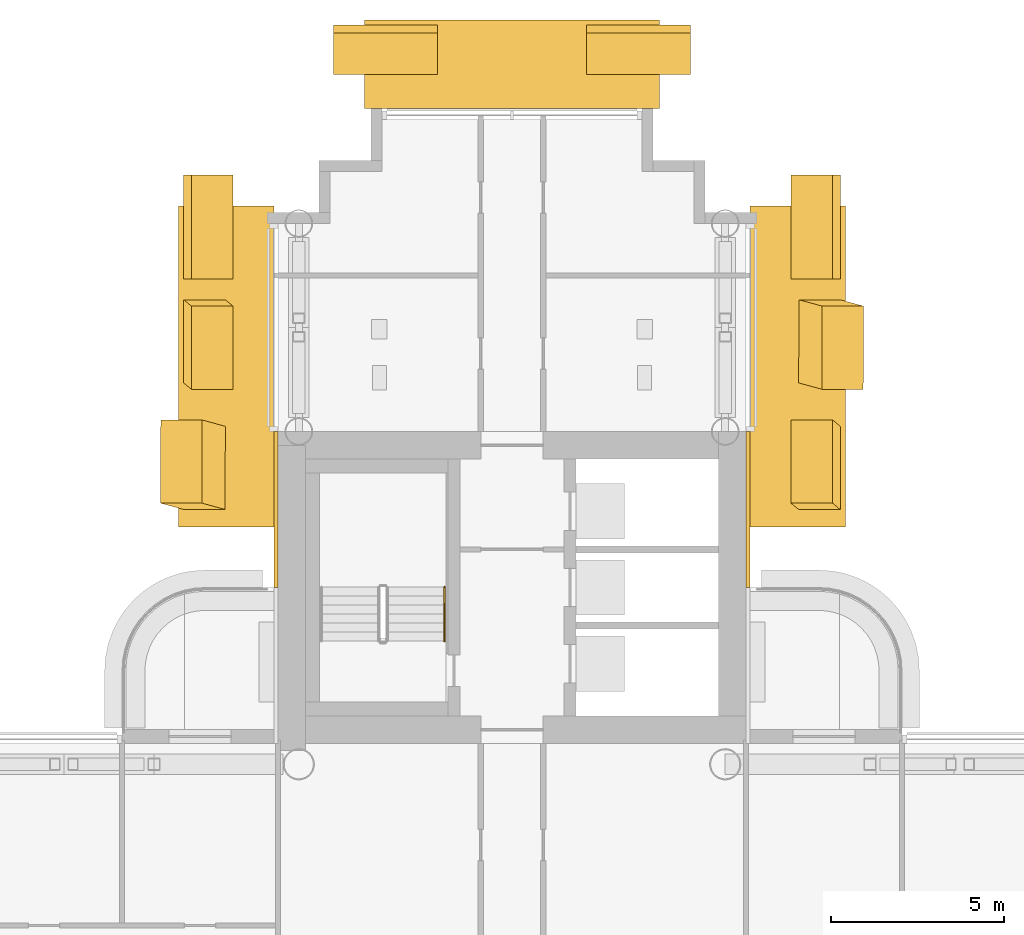
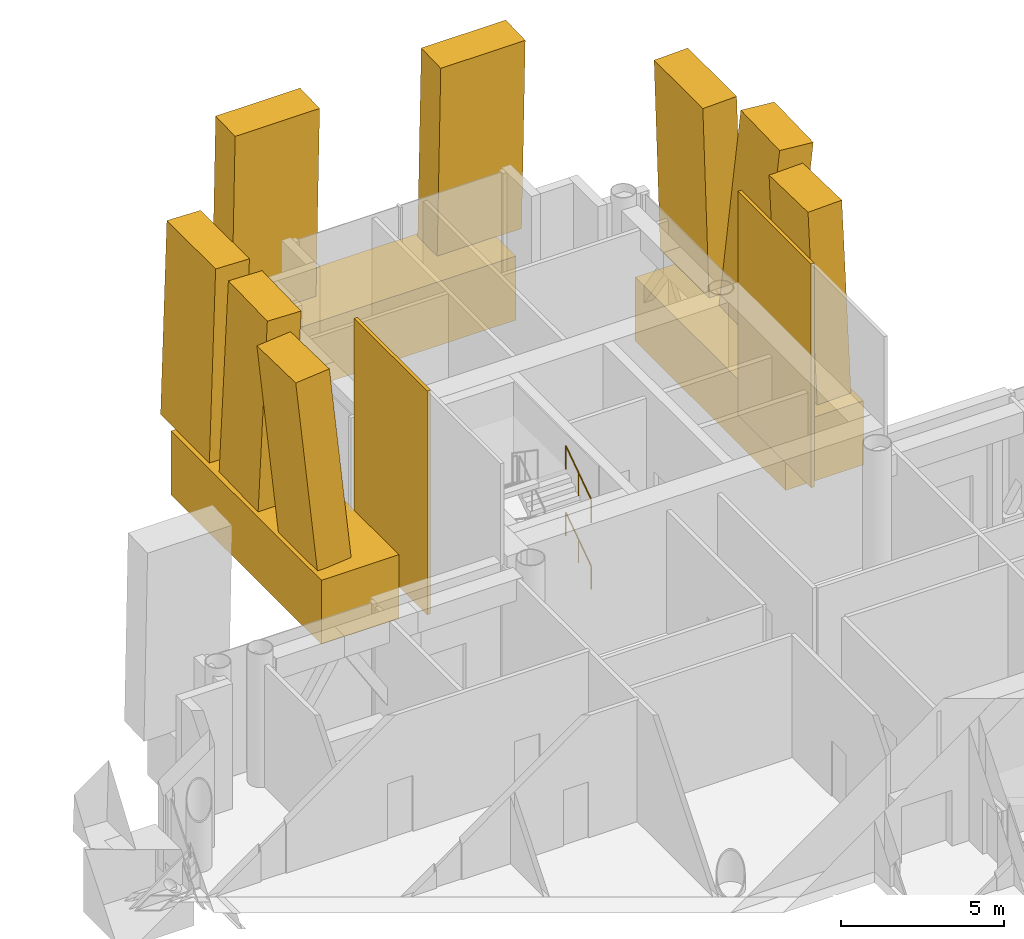
# One storey, part 32 of 34: 13 coverings, 2 railings.
"""IFC4 building model written with IfcOpenShell, lengths in metres."""

from ifc_helpers import new_model, si_unit, direction, frame, origin, origin_2d, place, context, subcontext, project, spatial, rectangle, circle, extrude, material, layer, layer_set, material_profile, profile_set, type_object, element, save


model = new_model("IFC4")

# Units and contexts
model_context = context("Model", 3, precision=1e-05, world=origin(), true_north=direction((0.0, 1.0)))
body_context = subcontext(model_context, "Body", "Model", "MODEL_VIEW")
ifc_project = project(units=[si_unit("LENGTHUNIT", "METRE"), si_unit("AREAUNIT", "SQUARE_METRE"), si_unit("VOLUMEUNIT", "CUBIC_METRE"), si_unit("PLANEANGLEUNIT", "RADIAN"), si_unit("MASSUNIT", "GRAM", prefix="KILO")], contexts=[model_context])

# Site, building, storey
site_placement = place(None, origin())
site = spatial("IfcSite", under=ifc_project, at=site_placement, CompositionType="ELEMENT")
building_placement = place(site_placement, origin())
building = spatial("IfcBuilding", under=site, at=building_placement, Name="Ipe Terrace Towers", CompositionType="ELEMENT")
storey_placement = place(building_placement, frame((0.0, 0.0, 128.699951171875)))
storey = spatial("IfcBuildingStorey", under=building, at=storey_placement, Name="L35", CompositionType="ELEMENT", Elevation=128.699951171875)

# Coverings
ifc_material_1 = material(Name="Concrete C50/60 precast, buff finish", Category="concrete")
ifc_layer = layer(ifc_material_1, 0.1201171875)
ifc_layer_set = layer_set([ifc_layer], Name="STONE CORE CLADDING 120")
covering_type_1 = type_object("IfcCoveringType", Name="STONE CORE CLADDING 120", PredefinedType="CLADDING", material=ifc_layer_set)
for number, where, z_axis, x_axis, name in (
    (1, (29.18994140625, 13.5, 0.0), (0.0, 0.0, 1.0), (0.0, -1.0, 0.0), "stone core cladding"),
    (2, (42.81005859375, 13.5, 0.0), (0.0, 0.0, 1.0), (0.0, 1.0, 0.0), "stone core cladding"),
):
    element("IfcCovering", number, at=place(storey_placement, frame(where, z_axis=z_axis, x_axis=x_axis)), inside=storey, type_object=covering_type_1, Name=name, PredefinedType="CLADDING", context=body_context, shape_type="SweptSolid", body=[
        extrude(rectangle(XDim=4.5009765625, YDim=0.1201171875, at=origin_2d()), origin(), (0.0, 0.0, 1.0), 8.39990234375),
    ])
ifc_material_2 = material(Name="Concrete C50/60 precast, buff finish", Category="concrete")
ifc_material_profile_1 = material_profile(ifc_material_2, rectangle(XDim=2.39990234375, YDim=1.199951171875, at=origin_2d()), Name="STONE FIN 2400 x 1200")
ifc_profile_set_1 = profile_set([ifc_material_profile_1], Name="Concrete C50/60 precast, buff finish")
covering_type_2 = type_object("IfcCoveringType", Name="STONE FIN 2400 x 1200", PredefinedType="USERDEFINED", material=ifc_profile_set_1)
covering_1_placement = place(storey_placement, frame((27.1298828125, 14.699951171875, 1.199951171875), z_axis=(-0.092211120967, 0.025179171392, 0.995421075976), x_axis=(-0.002322535975, -0.999682954405, 0.02507182679)))
element("IfcCovering", 3, at=covering_1_placement, inside=storey, type_object=covering_type_2, Name="stone fin", ObjectType="FIN", PredefinedType="USERDEFINED", context=body_context, shape_type="SweptSolid", body=[
    extrude(rectangle(XDim=2.39990234375, YDim=1.199951171875, at=origin_2d()), origin(), (0.0, 0.0, 1.0), 7.2333984375),
])
for number, where, z_axis, x_axis, name in (
    (4, (27.1298828125, 18.35009765625, 1.199951171875), (0.03083129461, -0.025274885471, 0.999204989698), (-0.000779506464, -0.999680539055, -0.025262862175), "stone fin"),
    (5, (44.8701171875, 14.699951171875, 1.199951171875), (-0.03083129461, 0.025274885471, 0.999204989698), (0.000779506464, 0.999680539055, -0.025262862175), "stone fin"),
):
    element("IfcCovering", number, at=place(storey_placement, frame(where, z_axis=z_axis, x_axis=x_axis)), inside=storey, type_object=covering_type_2, Name=name, ObjectType="FIN", PredefinedType="USERDEFINED", context=body_context, shape_type="SweptSolid", body=[
        extrude(rectangle(XDim=2.39990234375, YDim=1.199951171875, at=origin_2d()), origin(), (0.0, 0.0, 1.0), 7.205810546875),
    ])
covering_2_placement = place(storey_placement, frame((44.8701171875, 18.35009765625, 1.199951171875), z_axis=(0.092211120967, -0.025179171392, 0.995421075976), x_axis=(0.002322535975, 0.999682954405, 0.02507182679)))
element("IfcCovering", 6, at=covering_2_placement, inside=storey, type_object=covering_type_2, Name="stone fin", ObjectType="FIN", PredefinedType="USERDEFINED", context=body_context, shape_type="SweptSolid", body=[
    extrude(rectangle(XDim=2.39990234375, YDim=1.199951171875, at=origin_2d()), origin(), (0.0, 0.0, 1.0), 7.2333984375),
])
ifc_material_3 = material(Name="Concrete C50/60 precast, buff finish", Category="concrete")
ifc_material_profile_2 = material_profile(ifc_material_3, rectangle(XDim=3.0, YDim=1.199951171875, at=origin_2d()), Name="STONE FIN CORNER 3000 x 1200")
ifc_profile_set_2 = profile_set([ifc_material_profile_2], Name="Concrete C50/60 precast, buff finish")
covering_type_3 = type_object("IfcCoveringType", Name="STONE FIN CORNER 3000 x 1200", PredefinedType="USERDEFINED", material=ifc_profile_set_2)
for number, where, z_axis, x_axis, name in (
    (7, (27.1298828125, 21.64990234375, 1.199951171875), (0.030841147152, 0.0, 0.999524298675), (0.0, -1.0, 0.0), "stone fin"),
    (8, (32.35009765625, 26.8701171875, 1.199951171875), (0.0, -0.030841147152, 0.999524298675), (-1.0, 0.0, 0.0), "stone fin"),
    (9, (39.64990234375, 26.8701171875, 1.199951171875), (0.0, -0.030841147152, 0.999524298675), (-1.0, 0.0, 0.0), "stone fin"),
    (10, (44.8701171875, 21.64990234375, 1.199951171875), (-0.030841147152, 0.0, 0.999524298675), (0.0, 1.0, 0.0), "stone fin"),
):
    element("IfcCovering", number, at=place(storey_placement, frame(where, z_axis=z_axis, x_axis=x_axis)), inside=storey, type_object=covering_type_3, Name=name, ObjectType="FIN", PredefinedType="USERDEFINED", context=body_context, shape_type="SweptSolid", body=[
        extrude(rectangle(XDim=3.0, YDim=1.199951171875, at=origin_2d()), origin(), (0.0, 0.0, 1.0), 7.20361328125),
    ])
ifc_material_4 = material(Name="Concrete C50/60 precast, buff finish", Category="concrete")
ifc_material_profile_3 = material_profile(ifc_material_4, rectangle(XDim=2.56005859375, YDim=2.39990234375, at=origin_2d()), Name="STONE FIN SPANDREL 2560 x 2400")
ifc_profile_set_3 = profile_set([ifc_material_profile_3], Name="Concrete C50/60 precast, buff finish")
covering_type_4 = type_object("IfcCoveringType", Name="STONE FIN SPANDREL 2560 x 2400", PredefinedType="CLADDING", material=ifc_profile_set_3)
covering_3_placement = place(storey_placement, frame((40.25, 26.340087890625, 0.0), z_axis=(-1.0, 0.0, 0.0), x_axis=(0.0, 1.0, 0.0)))
element("IfcCovering", 11, at=covering_3_placement, inside=storey, type_object=covering_type_4, Name="stone fin spandrel", PredefinedType="CLADDING", context=body_context, shape_type="SweptSolid", body=[
    extrude(rectangle(XDim=2.56005859375, YDim=2.39990234375, at=origin_2d()), origin(), (0.0, 0.0, 1.0), 8.5),
])
ifc_material_5 = material(Name="Concrete C50/60 precast, buff finish", Category="concrete")
ifc_material_profile_4 = material_profile(ifc_material_5, rectangle(XDim=2.760009765625, YDim=2.39990234375, at=origin_2d()), Name="STONE FIN SPANDREL 2760 x 2400")
ifc_profile_set_4 = profile_set([ifc_material_profile_4], Name="Concrete C50/60 precast, buff finish")
covering_type_5 = type_object("IfcCoveringType", Name="STONE FIN SPANDREL 2760 x 2400", PredefinedType="CLADDING", material=ifc_profile_set_4)
for number, where, z_axis, x_axis, name in (
    (12, (44.239990234375, 13.0, 0.0), (0.0, 1.0, 0.0), (1.0, 0.0, 0.0), "stone fin spandrel"),
    (13, (27.760009765625, 22.25, 0.0), (0.0, -1.0, 0.0), (-1.0, 0.0, 0.0), "stone fin spandrel"),
):
    element("IfcCovering", number, at=place(storey_placement, frame(where, z_axis=z_axis, x_axis=x_axis)), inside=storey, type_object=covering_type_5, Name=name, PredefinedType="CLADDING", context=body_context, shape_type="SweptSolid", body=[
        extrude(rectangle(XDim=2.760009765625, YDim=2.39990234375, at=origin_2d()), origin(), (0.0, 0.0, 1.0), 9.25),
    ])

# Railings
ifc_material_6 = material(Name="Stainless steel grade 304", Category="steel")
railing_type = type_object("IfcRailingType", Name="Stair handrail 900", PredefinedType="HANDRAIL", material=ifc_material_6)
for number, where, name in (
    (14, (34.050048828125, 9.699951171875, 0.1787109375), "L35 T2-ST1 stair handrail 1"),
    (15, (34.050048828125, 9.699951171875, 2.6787109375), "L35 T2-ST1 stair handrail 3"),
):
    element("IfcRailing", number, at=place(storey_placement, frame(where)), inside=storey, type_object=railing_type, Name=name, PredefinedType="HANDRAIL", context=body_context, shape_type="SweptSolid", body=[
        extrude(circle(Radius=0.02392578125, at=origin_2d()), frame((0.0, 0.0, 0.8759765625), z_axis=(0.0, 0.824350458958, 0.566079783084), x_axis=(-1.0, 0.0, 0.0)), (0.0, 0.0, 1.0), 1.892578125),
        extrude(circle(Radius=0.02099609375, at=origin_2d()), origin(), (0.0, 0.0, 1.0), 0.851806640625),
        extrude(circle(Radius=0.02099609375, at=origin_2d()), frame((0.0, 0.780029296875, 0.53564453125)), (0.0, 0.0, 1.0), 0.851806640625),
        extrude(circle(Radius=0.02099609375, at=origin_2d()), frame((0.0, 1.56005859375, 1.0712890625)), (0.0, 0.0, 1.0), 0.851806640625),
    ])

save(model, "model.ifc")
